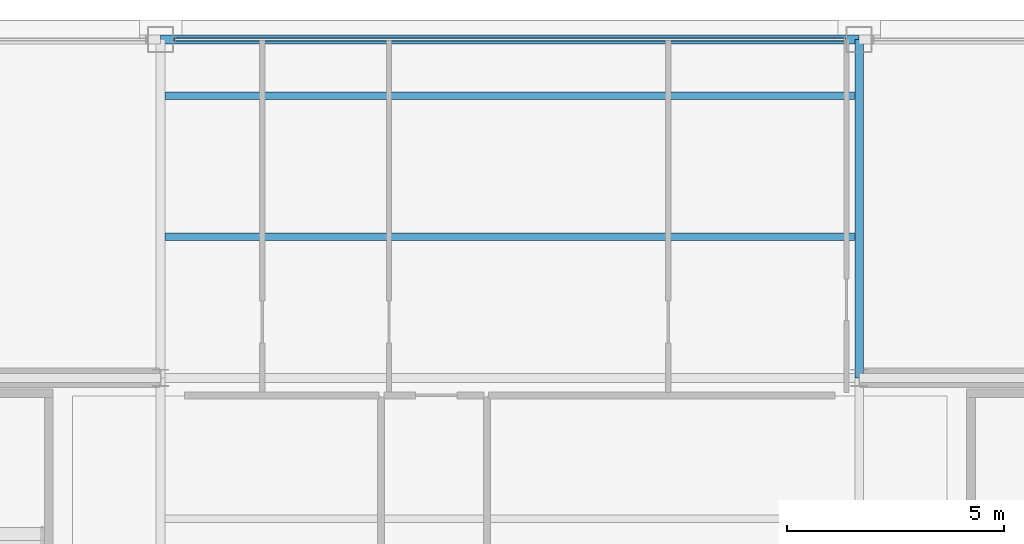
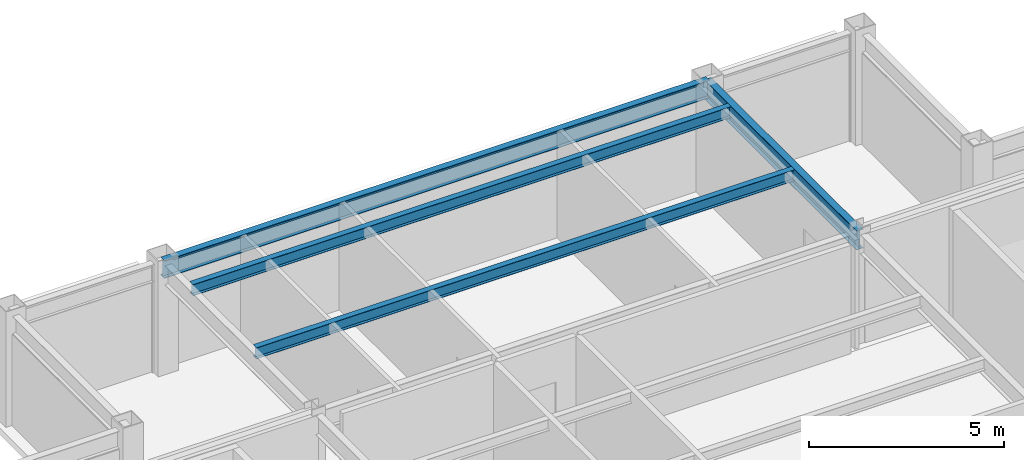
# One storey, part 17 of 24: 4 beams, 1 member, 1 element without a shape of its own.
"""IFC4 building model written with IfcOpenShell, lengths in metres."""

from ifc_helpers import new_model, si_unit, direction, frame, origin, origin_2d, place, context, subcontext, project, spatial, hollow_rectangle, i_section, extrude, material, layer, layer_set, material_profile, profile_set, type_object, element, aggregate, save


model = new_model("IFC4")

# Units and contexts
model_context = context("Model", 3, precision=1e-05, world=origin(), true_north=direction((0.0, 1.0)))
body_context = subcontext(model_context, "Body", "Model", "MODEL_VIEW")
ifc_project = project(units=[si_unit("LENGTHUNIT", "METRE"), si_unit("AREAUNIT", "SQUARE_METRE"), si_unit("VOLUMEUNIT", "CUBIC_METRE"), si_unit("PLANEANGLEUNIT", "RADIAN"), si_unit("MASSUNIT", "GRAM", prefix="KILO")], contexts=[model_context])

# Site, building, storey
site_placement = place(None, origin())
site = spatial("IfcSite", under=ifc_project, at=site_placement, CompositionType="ELEMENT")
building_placement = place(site_placement, origin())
building = spatial("IfcBuilding", under=site, at=building_placement, Name="Brelmoor Portico Tower", CompositionType="ELEMENT")
storey_placement = place(building_placement, frame((0.0, 0.0, 261.60009765625)))
storey = spatial("IfcBuildingStorey", under=building, at=storey_placement, Name="L69", CompositionType="ELEMENT", Elevation=261.60009765625)

# Beams
ifc_material_1 = material(Name="Steel Q355B", Category="steel")
ifc_material_profile_1 = material_profile(ifc_material_1, i_section(OverallWidth=0.175048828125, OverallDepth=0.35009765625, WebThickness=0.007080078125, FlangeThickness=0.010986328125, at=origin_2d()), Name="HN 350x175x7x11")
ifc_profile_set_1 = profile_set([ifc_material_profile_1], Name="Steel Q355B")
beam_type_1 = type_object("IfcBeamType", Name="BM-JS-350", PredefinedType="JOIST", material=ifc_profile_set_1)
for number, where, z_axis, x_axis, name in (
    (1, (-7.949951171875, 13.0, 3.224853515625), (1.0, 0.0, 0.0), (0.0, 1.0, 0.0), "L69 Secondary Composite Joist JS-C05"),
    (2, (-7.949951171875, 16.25, 3.224853515625), (1.0, 0.0, 0.0), (0.0, 1.0, 0.0), "L69 Secondary Composite Joist JS-C06"),
):
    element("IfcBeam", number, at=place(storey_placement, frame(where, z_axis=z_axis, x_axis=x_axis)), inside=storey, type_object=beam_type_1, Name=name, PredefinedType="JOIST", context=body_context, shape_type="SweptSolid", body=[
        extrude(i_section(OverallWidth=0.175048828125, OverallDepth=0.35009765625, WebThickness=0.007080078125, FlangeThickness=0.010986328125, at=origin_2d()), origin(), (0.0, 0.0, 1.0), 15.89990234375),
    ])
ifc_material_profile_2 = material_profile(ifc_material_1, i_section(OverallWidth=0.199951171875, OverallDepth=0.60009765625, WebThickness=0.010986328125, FlangeThickness=0.01708984375, at=origin_2d()), Name="HN 600x200x11x17")
ifc_profile_set_2 = profile_set([ifc_material_profile_2], Name="Steel Q355B")
beam_type_2 = type_object("IfcBeamType", Name="BM-PG-600", PredefinedType="BEAM", material=ifc_profile_set_2)
beam_1_placement = place(storey_placement, frame((8.050048828125, 9.75, 3.099853515625), z_axis=(0.0, 1.0, 0.0), x_axis=(-1.0, 0.0, 0.0)))
element("IfcBeam", 3, at=beam_1_placement, inside=storey, type_object=beam_type_2, Name="L69 Primary Floor Girder PG-08", PredefinedType="BEAM", context=body_context, shape_type="SweptSolid", body=[
    extrude(i_section(OverallWidth=0.199951171875, OverallDepth=0.60009765625, WebThickness=0.010986328125, FlangeThickness=0.01708984375, at=origin_2d()), origin(), (0.0, 0.0, 1.0), 7.800048828125),
])
ifc_material_profile_3 = material_profile(ifc_material_1, i_section(OverallWidth=0.199951171875, OverallDepth=0.550048828125, WebThickness=0.010009765625, FlangeThickness=0.01611328125, at=origin_2d()), Name="HN 550x200x10x16")
ifc_profile_set_3 = profile_set([ifc_material_profile_3], Name="Steel Q355B")
beam_type_3 = type_object("IfcBeamType", Name="BM-SP-550", PredefinedType="SPANDREL", material=ifc_profile_set_3)
beam_2_placement = place(storey_placement, frame((-8.050048828125, 17.550048828125, 3.125), z_axis=(1.0, 0.0, 0.0), x_axis=(0.0, 1.0, 0.0)))
element("IfcBeam", 4, at=beam_2_placement, inside=storey, type_object=beam_type_3, Name="L69 Perimeter Spandrel Beam SP-09", PredefinedType="SPANDREL", context=body_context, shape_type="SweptSolid", body=[
    extrude(i_section(OverallWidth=0.199951171875, OverallDepth=0.550048828125, WebThickness=0.010009765625, FlangeThickness=0.01611328125, at=origin_2d()), origin(), (0.0, 0.0, 1.0), 16.10009765625),
])

# Curtain wall, member
ifc_material_2 = material(Name="Anodised Aluminium Alloy 6063-T6", Category="aluminium")
ifc_layer = layer(ifc_material_2, 0.179931640625)
ifc_layer_set = layer_set([ifc_layer], Name="Anodised Aluminium Alloy 6063-T6")
curtain_wall_type = type_object("IfcCurtainWallType", Name="CW-TOWER-Z4-XB", PredefinedType="NOTDEFINED", material=ifc_layer_set)
curtain_wall_placement = place(storey_placement, origin())
curtain_wall = element("IfcCurtainWall", 5, at=curtain_wall_placement, inside=storey, type_object=curtain_wall_type, Name="L69 Curtain Wall CW-L69-02-2", PredefinedType="NOTDEFINED")
ifc_material_profile_4 = material_profile(ifc_material_2, hollow_rectangle(XDim=0.06005859375, YDim=0.125, WallThickness=0.00341796875, at=origin_2d()), Name="ALU TRANSOM 60x125")
ifc_profile_set_4 = profile_set([ifc_material_profile_4], Name="Anodised Aluminium Alloy 6063-T6")
member_type = type_object("IfcMemberType", Name="MB-CW-TRAN-125", PredefinedType="USERDEFINED", material=ifc_profile_set_4)
member_placement = place(storey_placement, frame((-7.739990234375, 17.550048828125, 3.33740234375), z_axis=(1.0, 0.0, 0.0), x_axis=(0.0, 1.0, 0.0)))
member = element("IfcMember", 6, at=member_placement, type_object=member_type, Name="CW-L69-02-2 Transom 1-00", ObjectType="TRANSOM", PredefinedType="USERDEFINED", context=body_context, shape_type="SweptSolid", body=[
    extrude(hollow_rectangle(XDim=0.06005859375, YDim=0.125, WallThickness=0.00341796875, at=origin_2d()), origin(), (0.0, 0.0, 1.0), 15.47998046875),
])
aggregate(curtain_wall, [member])

save(model, "model.ifc")
